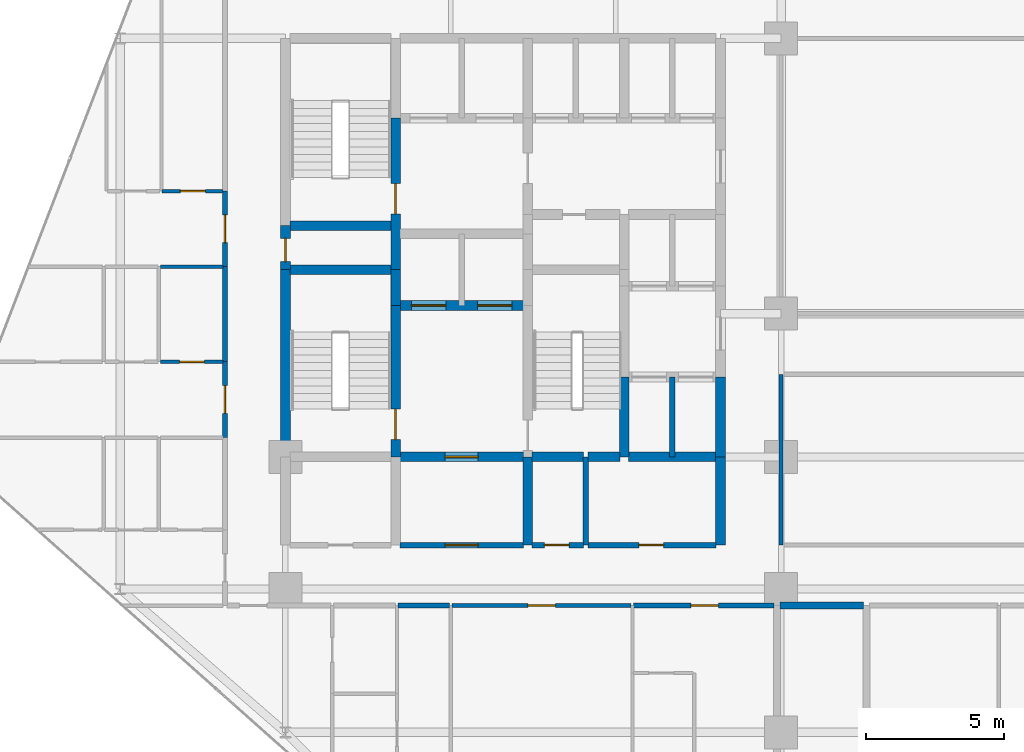
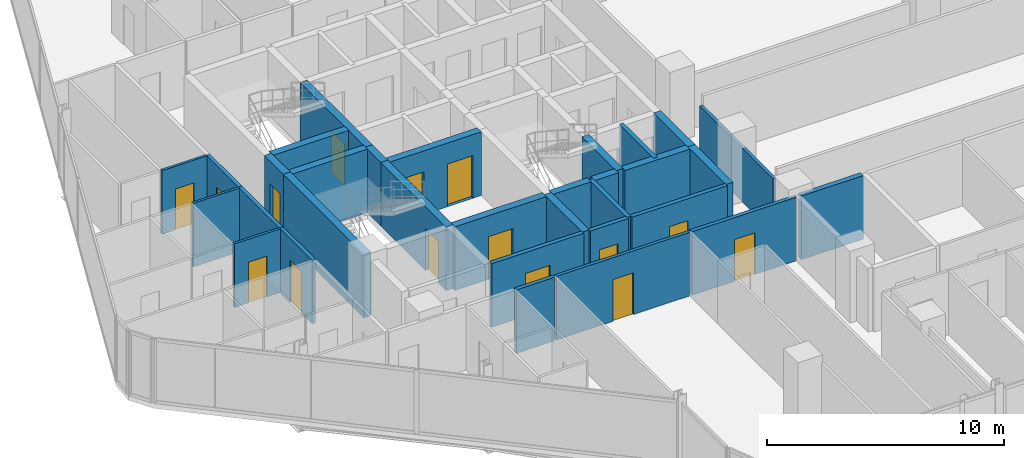
# One storey, part 27 of 33: 32 walls, 15 doors, 15 openings.
"""IFC4 building model written with IfcOpenShell, lengths in metres."""

from ifc_helpers import new_model, si_unit, direction, frame, frame_2d, origin, place, context, subcontext, project, spatial, rectangle, extrude, material, layer, layer_set, type_object, element, fill, save


model = new_model("IFC4")

# Units and contexts
model_context = context("Model", 3, precision=1e-05, world=origin(), true_north=direction((0.0, 1.0)))
body_context = subcontext(model_context, "Body", "Model", "MODEL_VIEW")
ifc_project = project(units=[si_unit("LENGTHUNIT", "METRE"), si_unit("AREAUNIT", "SQUARE_METRE"), si_unit("VOLUMEUNIT", "CUBIC_METRE"), si_unit("PLANEANGLEUNIT", "RADIAN"), si_unit("MASSUNIT", "GRAM", prefix="KILO")], contexts=[model_context])

# Site, building, storey
site_placement = place(None, origin())
site = spatial("IfcSite", under=ifc_project, at=site_placement, CompositionType="ELEMENT")
building_placement = place(site_placement, origin())
building = spatial("IfcBuilding", under=site, at=building_placement, Name="Keshet Zoharim Tower", CompositionType="ELEMENT")
storey_placement = place(building_placement, frame((0.0, 0.0, 57.300048828125)))
storey = spatial("IfcBuildingStorey", under=building, at=storey_placement, Name="L13", CompositionType="ELEMENT", Elevation=57.300048828125)

# Wall
ifc_material_1 = material(Name="Gypsum Plasterboard", Category="gypsum")
ifc_layer_1 = layer(ifc_material_1, 0.14990234375)
ifc_layer_set_1 = layer_set([ifc_layer_1], Name="Gypsum Plasterboard")
wall_type_1 = type_object("IfcWallType", Name="WL-CLIN-150", PredefinedType="STANDARD", material=ifc_layer_set_1)
wall_1_placement = place(storey_placement, frame((33.0, 19.510009765625, 0.0), z_axis=(0.0, 0.0, 1.0), x_axis=(0.0, 1.0, 0.0)))
element("IfcWall", 1, at=wall_1_placement, inside=storey, type_object=wall_type_1, Name="L13 Interior Wall 073", PredefinedType="STANDARD", context=body_context, shape_type="SweptSolid", body=[
    extrude(rectangle(XDim=6.179931640625, YDim=0.14990234375, at=frame_2d((3.08984375, 0.0))), origin(), (0.0, 0.0, 1.0), 2.780029296875),
])

# Wall, opening, door
wall_2_placement = place(storey_placement, frame((21.044921875, 17.300048828125, 0.0), z_axis=(0.0, 0.0, 1.0), x_axis=(1.0, 0.0, 0.0)))
wall_2 = element("IfcWall", 2, at=wall_2_placement, inside=storey, type_object=wall_type_1, Name="L13 Interior Wall 149", PredefinedType="STANDARD", context=body_context, shape_type="SweptSolid", body=[
    extrude(rectangle(XDim=6.510009765625, YDim=0.14990234375, at=frame_2d((3.2548828125, 0.0))), origin(), (0.0, 0.0, 1.0), 3.280029296875),
])
opening_1_placement = place(wall_2_placement, frame((2.7548828125, 0.0, 0.0)))
opening_1 = element("IfcOpeningElement", 3, at=opening_1_placement, cuts=wall_2, Name="Opening D-F310", PredefinedType="OPENING", context=body_context, shape_type="SweptSolid", body=[
    extrude(rectangle(XDim=1.0, YDim=2.14990234375, at=frame_2d((0.5, 1.074951171875))), frame((0.0, 0.0849609375, 0.0), z_axis=(0.0, -1.0, 0.0), x_axis=(1.0, 0.0, 0.0)), (0.0, 0.0, 1.0), 0.169921875),
])
ifc_material_2 = material(Name="Hardwood Timber", Category="wood")
door_type_1 = type_object("IfcDoorType", Name="DR-FD30-100", OperationType="NOTDEFINED", PredefinedType="DOOR", material=ifc_material_2)
door_1_placement = place(opening_1_placement, origin())
door_1 = element("IfcDoor", 4, at=door_1_placement, inside=storey, type_object=door_type_1, Name="L13 Floor Children Playroom Door", OperationType="SINGLE_SWING_LEFT", OverallHeight=2.14990234375, OverallWidth=1.0, PredefinedType="DOOR", context=body_context, shape_type="SweptSolid", body=[
    extrude(rectangle(XDim=1.0, YDim=2.14990234375, at=frame_2d((0.5, 1.074951171875))), frame((0.0, 0.02490234375, 0.0), z_axis=(0.0, -1.0, 0.0), x_axis=(1.0, 0.0, 0.0)), (0.0, 0.0, 1.0), 0.050048828125),
])
fill(opening_1, door_1)

# Wall
ifc_material_3 = material(Name="Concrete C60/75", Category="concrete")
ifc_layer_2 = layer(ifc_material_3, 0.35009765625)
ifc_layer_set_2 = layer_set([ifc_layer_2], Name="Concrete C60/75")
wall_type_2 = type_object("IfcWallType", Name="WL-CORE-350", PredefinedType="SHEAR", material=ifc_layer_set_2)
wall_3_placement = place(storey_placement, frame((15.0, 22.699951171875, 0.0), z_axis=(0.0, 0.0, 1.0), x_axis=(0.0, 1.0, 0.0)))
element("IfcWall", 5, at=wall_3_placement, inside=storey, type_object=wall_type_2, Name="L13 Core Shear Wall 014", PredefinedType="SHEAR", context=body_context, shape_type="SweptSolid", body=[
    extrude(rectangle(XDim=6.800048828125, YDim=0.35009765625, at=frame_2d((3.39990234375, 0.0))), origin(), (0.0, 0.0, 1.0), 3.280029296875),
])

# Wall, opening, door
wall_4_placement = place(storey_placement, frame((15.0, 29.5, 0.0), z_axis=(0.0, 0.0, 1.0), x_axis=(0.0, 1.0, 0.0)))
wall_4 = element("IfcWall", 6, at=wall_4_placement, inside=storey, type_object=wall_type_2, Name="L13 Core Shear Wall 015", PredefinedType="SHEAR", context=body_context, shape_type="SweptSolid", body=[
    extrude(rectangle(XDim=1.60009765625, YDim=0.35009765625, at=frame_2d((0.800048828125, 0.0))), origin(), (0.0, 0.0, 1.0), 3.280029296875),
])
opening_2_placement = place(wall_4_placement, frame((0.287109375, 0.0, 0.0)))
opening_2 = element("IfcOpeningElement", 7, at=opening_2_placement, cuts=wall_4, Name="Opening D-RS85", PredefinedType="OPENING", context=body_context, shape_type="SweptSolid", body=[
    extrude(rectangle(XDim=0.85009765625, YDim=2.10009765625, at=frame_2d((0.425048828125, 1.050048828125))), frame((0.0, 0.18505859375, 0.0), z_axis=(0.0, -1.0, 0.0), x_axis=(1.0, 0.0, 0.0)), (0.0, 0.0, 1.0), 0.3701171875),
])
door_type_2 = type_object("IfcDoorType", Name="DR-RIS-085", OperationType="NOTDEFINED", PredefinedType="DOOR", material=ifc_material_2)
door_2_placement = place(opening_2_placement, origin())
door_2 = element("IfcDoor", 8, at=door_2_placement, inside=storey, type_object=door_type_2, Name="L13 Electrical Riser Access Cupboard Door", OperationType="SINGLE_SWING_RIGHT", OverallHeight=2.10009765625, OverallWidth=0.85009765625, PredefinedType="DOOR", context=body_context, shape_type="SweptSolid", body=[
    extrude(rectangle(XDim=0.85009765625, YDim=2.10009765625, at=frame_2d((0.425048828125, 1.050048828125))), frame((0.0, 0.02490234375, 0.0), z_axis=(0.0, -1.0, 0.0), x_axis=(1.0, 0.0, 0.0)), (0.0, 0.0, 1.0), 0.050048828125),
])
fill(opening_2, door_2)

wall_5_placement = place(storey_placement, frame((19.0, 22.699951171875, 0.0), z_axis=(0.0, 0.0, 1.0), x_axis=(0.0, 1.0, 0.0)))
wall_5 = element("IfcWall", 9, at=wall_5_placement, inside=storey, type_object=wall_type_2, Name="L13 Core Shear Wall 024", PredefinedType="SHEAR", context=body_context, shape_type="SweptSolid", body=[
    extrude(rectangle(XDim=5.5, YDim=0.35009765625, at=frame_2d((2.75, 0.0))), origin(), (0.0, 0.0, 1.0), 3.280029296875),
])
opening_3_placement = place(wall_5_placement, frame((0.631103515625, 0.0, 0.0)))
opening_3 = element("IfcOpeningElement", 10, at=opening_3_placement, cuts=wall_5, Name="Opening D-F611", PredefinedType="OPENING", context=body_context, shape_type="SweptSolid", body=[
    extrude(rectangle(XDim=1.10009765625, YDim=2.14990234375, at=frame_2d((0.550048828125, 1.074951171875))), frame((0.0, 0.18505859375, 0.0), z_axis=(0.0, -1.0, 0.0), x_axis=(1.0, 0.0, 0.0)), (0.0, 0.0, 1.0), 0.3701171875),
])
door_type_3 = type_object("IfcDoorType", Name="DR-FD60-110", OperationType="NOTDEFINED", PredefinedType="DOOR", material=ifc_material_2)
door_3_placement = place(opening_3_placement, origin())
door_3 = element("IfcDoor", 11, at=door_3_placement, inside=storey, type_object=door_type_3, Name="L13 Exit Stair ST-01 Fire Door", OperationType="SINGLE_SWING_RIGHT", OverallHeight=2.14990234375, OverallWidth=1.10009765625, PredefinedType="DOOR", context=body_context, shape_type="SweptSolid", body=[
    extrude(rectangle(XDim=1.10009765625, YDim=2.14990234375, at=frame_2d((0.550048828125, 1.074951171875))), frame((0.0, 0.02490234375, 0.0), z_axis=(0.0, -1.0, 0.0), x_axis=(1.0, 0.0, 0.0)), (0.0, 0.0, 1.0), 0.050048828125),
])
fill(opening_3, door_3)

# Wall
wall_6_placement = place(storey_placement, frame((19.0, 28.199951171875, 0.0), z_axis=(0.0, 0.0, 1.0), x_axis=(0.0, 1.0, 0.0)))
element("IfcWall", 12, at=wall_6_placement, inside=storey, type_object=wall_type_2, Name="L13 Core Shear Wall 025", PredefinedType="SHEAR", context=body_context, shape_type="SweptSolid", body=[
    extrude(rectangle(XDim=1.300048828125, YDim=0.35009765625, at=frame_2d((0.64990234375, 0.0))), origin(), (0.0, 0.0, 1.0), 3.280029296875),
])

# Wall, opening, door
wall_7_placement = place(storey_placement, frame((19.0, 29.5, 0.0), z_axis=(0.0, 0.0, 1.0), x_axis=(0.0, 1.0, 0.0)))
wall_7 = element("IfcWall", 13, at=wall_7_placement, inside=storey, type_object=wall_type_2, Name="L13 Core Shear Wall 026", PredefinedType="SHEAR", context=body_context, shape_type="SweptSolid", body=[
    extrude(rectangle(XDim=5.5, YDim=0.35009765625, at=frame_2d((2.75, 0.0))), origin(), (0.0, 0.0, 1.0), 3.280029296875),
])
opening_4_placement = place(wall_7_placement, frame((2.02490234375, 0.0, 0.0)))
opening_4 = element("IfcOpeningElement", 14, at=opening_4_placement, cuts=wall_7, Name="Opening D-F611", PredefinedType="OPENING", context=body_context, shape_type="SweptSolid", body=[
    extrude(rectangle(XDim=1.10009765625, YDim=2.14990234375, at=frame_2d((0.550048828125, 1.074951171875))), frame((0.0, 0.18505859375, 0.0), z_axis=(0.0, -1.0, 0.0), x_axis=(1.0, 0.0, 0.0)), (0.0, 0.0, 1.0), 0.3701171875),
])
door_4_placement = place(opening_4_placement, origin())
door_4 = element("IfcDoor", 15, at=door_4_placement, inside=storey, type_object=door_type_3, Name="L13 Exit Stair ST-02 Fire Door", OperationType="SINGLE_SWING_LEFT", OverallHeight=2.14990234375, OverallWidth=1.10009765625, PredefinedType="DOOR", context=body_context, shape_type="SweptSolid", body=[
    extrude(rectangle(XDim=1.10009765625, YDim=2.14990234375, at=frame_2d((0.550048828125, 1.074951171875))), frame((0.0, 0.02490234375, 0.0), z_axis=(0.0, -1.0, 0.0), x_axis=(1.0, 0.0, 0.0)), (0.0, 0.0, 1.0), 0.050048828125),
])
fill(opening_4, door_4)

# Walls
wall_8_placement = place(storey_placement, frame((23.800048828125, 19.5, 0.0), z_axis=(0.0, 0.0, 1.0), x_axis=(0.0, 1.0, 0.0)))
element("IfcWall", 16, at=wall_8_placement, inside=storey, type_object=wall_type_2, Name="L13 Core Shear Wall 034", PredefinedType="SHEAR", context=body_context, shape_type="SweptSolid", body=[
    extrude(rectangle(XDim=3.199951171875, YDim=0.35009765625, at=frame_2d((1.60009765625, 0.0))), origin(), (0.0, 0.0, 1.0), 3.280029296875),
])
wall_9_placement = place(storey_placement, frame((27.300048828125, 22.699951171875, 0.0), z_axis=(0.0, 0.0, 1.0), x_axis=(0.0, 1.0, 0.0)))
element("IfcWall", 17, at=wall_9_placement, inside=storey, type_object=wall_type_2, Name="L13 Core Shear Wall 046", PredefinedType="SHEAR", context=body_context, shape_type="SweptSolid", body=[
    extrude(rectangle(XDim=2.900146484375, YDim=0.35009765625, at=frame_2d((1.4501953125, 0.0))), origin(), (0.0, 0.0, 1.0), 3.280029296875),
])
wall_10_placement = place(storey_placement, frame((30.800048828125, 19.5, 0.0), z_axis=(0.0, 0.0, 1.0), x_axis=(0.0, 1.0, 0.0)))
element("IfcWall", 18, at=wall_10_placement, inside=storey, type_object=wall_type_2, Name="L13 Core Shear Wall 059", PredefinedType="SHEAR", context=body_context, shape_type="SweptSolid", body=[
    extrude(rectangle(XDim=3.199951171875, YDim=0.35009765625, at=frame_2d((1.60009765625, 0.0))), origin(), (0.0, 0.0, 1.0), 3.280029296875),
])
wall_11_placement = place(storey_placement, frame((30.800048828125, 22.699951171875, 0.0), z_axis=(0.0, 0.0, 1.0), x_axis=(0.0, 1.0, 0.0)))
element("IfcWall", 19, at=wall_11_placement, inside=storey, type_object=wall_type_2, Name="L13 Core Shear Wall 060", PredefinedType="SHEAR", context=body_context, shape_type="SweptSolid", body=[
    extrude(rectangle(XDim=2.900146484375, YDim=0.35009765625, at=frame_2d((1.4501953125, 0.0))), origin(), (0.0, 0.0, 1.0), 3.280029296875),
])

# Wall, opening, door
wall_12_placement = place(storey_placement, frame((19.159912109375, 22.699951171875, 0.0), z_axis=(0.0, 0.0, 1.0), x_axis=(1.0, 0.0, 0.0)))
wall_12 = element("IfcWall", 20, at=wall_12_placement, inside=storey, type_object=wall_type_2, Name="L13 Core Shear Wall 172", PredefinedType="SHEAR", context=body_context, shape_type="SweptSolid", body=[
    extrude(rectangle(XDim=4.47998046875, YDim=0.35009765625, at=frame_2d((2.239990234375, 0.0))), origin(), (0.0, 0.0, 1.0), 3.280029296875),
])
opening_5_placement = place(wall_12_placement, frame((1.639892578125, 0.0, 0.0)))
opening_5 = element("IfcOpeningElement", 21, at=opening_5_placement, cuts=wall_12, Name="Opening D-F612", PredefinedType="OPENING", context=body_context, shape_type="SweptSolid", body=[
    extrude(rectangle(XDim=1.199951171875, YDim=2.199951171875, at=frame_2d((0.60009765625, 1.10009765625))), frame((0.0, 0.18505859375, 0.0), z_axis=(0.0, -1.0, 0.0), x_axis=(1.0, 0.0, 0.0)), (0.0, 0.0, 1.0), 0.3701171875),
])
door_type_4 = type_object("IfcDoorType", Name="DR-FD60-120", OperationType="NOTDEFINED", PredefinedType="DOOR", material=ifc_material_2)
door_5_placement = place(opening_5_placement, origin())
door_5 = element("IfcDoor", 22, at=door_5_placement, inside=storey, type_object=door_type_4, Name="L13 South Core Lobby Fire Door", OperationType="SINGLE_SWING_LEFT", OverallHeight=2.199951171875, OverallWidth=1.199951171875, PredefinedType="DOOR", context=body_context, shape_type="SweptSolid", body=[
    extrude(rectangle(XDim=1.199951171875, YDim=2.199951171875, at=frame_2d((0.60009765625, 1.10009765625))), frame((0.0, 0.02490234375, 0.0), z_axis=(0.0, -1.0, 0.0), x_axis=(1.0, 0.0, 0.0)), (0.0, 0.0, 1.0), 0.050048828125),
])
fill(opening_5, door_5)

# Walls
wall_13_placement = place(storey_placement, frame((23.9599609375, 22.699951171875, 0.0), z_axis=(0.0, 0.0, 1.0), x_axis=(1.0, 0.0, 0.0)))
element("IfcWall", 23, at=wall_13_placement, inside=storey, type_object=wall_type_2, Name="L13 Core Shear Wall 173", PredefinedType="SHEAR", context=body_context, shape_type="SweptSolid", body=[
    extrude(rectangle(XDim=1.85498046875, YDim=0.35009765625, at=frame_2d((0.927490234375, 0.0))), origin(), (0.0, 0.0, 1.0), 3.280029296875),
])
wall_14_placement = place(storey_placement, frame((25.985107421875, 22.699951171875, 0.0), z_axis=(0.0, 0.0, 1.0), x_axis=(1.0, 0.0, 0.0)))
element("IfcWall", 24, at=wall_14_placement, inside=storey, type_object=wall_type_2, Name="L13 Core Shear Wall 174", PredefinedType="SHEAR", context=body_context, shape_type="SweptSolid", body=[
    extrude(rectangle(XDim=1.15478515625, YDim=0.35009765625, at=frame_2d((0.577392578125, 0.0))), origin(), (0.0, 0.0, 1.0), 3.280029296875),
])
wall_15_placement = place(storey_placement, frame((27.4599609375, 22.699951171875, 0.0), z_axis=(0.0, 0.0, 1.0), x_axis=(1.0, 0.0, 0.0)))
element("IfcWall", 25, at=wall_15_placement, inside=storey, type_object=wall_type_2, Name="L13 Core Shear Wall 175", PredefinedType="SHEAR", context=body_context, shape_type="SweptSolid", body=[
    extrude(rectangle(XDim=3.179931640625, YDim=0.35009765625, at=frame_2d((1.58984375, 0.0))), origin(), (0.0, 0.0, 1.0), 3.280029296875),
])

# Wall, openings, doors
wall_16_placement = place(storey_placement, frame((19.159912109375, 28.199951171875, 0.0), z_axis=(0.0, 0.0, 1.0), x_axis=(1.0, 0.0, 0.0)))
wall_16 = element("IfcWall", 26, at=wall_16_placement, inside=storey, type_object=wall_type_2, Name="L13 Core Shear Wall 185", PredefinedType="SHEAR", context=body_context, shape_type="SweptSolid", body=[
    extrude(rectangle(XDim=4.47998046875, YDim=0.35009765625, at=frame_2d((2.239990234375, 0.0))), origin(), (0.0, 0.0, 1.0), 3.280029296875),
])
opening_6_placement = place(wall_16_placement, frame((0.4150390625, 0.0, 0.0)))
opening_6 = element("IfcOpeningElement", 27, at=opening_6_placement, cuts=wall_16, Name="Opening LD-01", PredefinedType="OPENING", context=body_context, shape_type="SweptSolid", body=[
    extrude(rectangle(XDim=1.25, YDim=2.199951171875, at=frame_2d((0.625, 1.10009765625))), frame((0.0, 0.18505859375, 0.0), z_axis=(0.0, -1.0, 0.0), x_axis=(1.0, 0.0, 0.0)), (0.0, 0.0, 1.0), 0.3701171875),
])
opening_7_placement = place(wall_16_placement, frame((2.81494140625, 0.0, 0.0)))
opening_7 = element("IfcOpeningElement", 28, at=opening_7_placement, cuts=wall_16, Name="Opening LD-01", PredefinedType="OPENING", context=body_context, shape_type="SweptSolid", body=[
    extrude(rectangle(XDim=1.25, YDim=2.199951171875, at=frame_2d((0.625, 1.10009765625))), frame((0.0, 0.18505859375, 0.0), z_axis=(0.0, -1.0, 0.0), x_axis=(1.0, 0.0, 0.0)), (0.0, 0.0, 1.0), 0.3701171875),
])
ifc_material_4 = material(Name="Steel S355", Category="steel")
door_type_5 = type_object("IfcDoorType", Name="DR-LD01-125", OperationType="DOUBLE_DOOR_SLIDING", PredefinedType="DOOR", material=ifc_material_4)
door_6_placement = place(opening_6_placement, origin())
door_6 = element("IfcDoor", 29, at=door_6_placement, inside=storey, type_object=door_type_5, Name="L13 Passenger Lift Landing Door LF-09", OperationType="DOUBLE_DOOR_SLIDING", OverallHeight=2.199951171875, OverallWidth=1.25, PredefinedType="DOOR", context=body_context, shape_type="SweptSolid", body=[
    extrude(rectangle(XDim=1.25, YDim=2.199951171875, at=frame_2d((0.625, 1.10009765625))), frame((0.0, 0.02490234375, 0.0), z_axis=(0.0, -1.0, 0.0), x_axis=(1.0, 0.0, 0.0)), (0.0, 0.0, 1.0), 0.050048828125),
])
fill(opening_6, door_6)
door_7_placement = place(opening_7_placement, origin())
door_7 = element("IfcDoor", 30, at=door_7_placement, inside=storey, type_object=door_type_5, Name="L13 Passenger Lift Landing Door LF-10", OperationType="DOUBLE_DOOR_SLIDING", OverallHeight=2.199951171875, OverallWidth=1.25, PredefinedType="DOOR", context=body_context, shape_type="SweptSolid", body=[
    extrude(rectangle(XDim=1.25, YDim=2.199951171875, at=frame_2d((0.625, 1.10009765625))), frame((0.0, 0.02490234375, 0.0), z_axis=(0.0, -1.0, 0.0), x_axis=(1.0, 0.0, 0.0)), (0.0, 0.0, 1.0), 0.050048828125),
])
fill(opening_7, door_7)

# Walls
for number, where, z_axis, x_axis, name in (
    (31, (15.159912109375, 29.5, 0.0), (0.0, 0.0, 1.0), (1.0, 0.0, 0.0), "L13 Core Shear Wall 187"),
    (32, (15.159912109375, 31.10009765625, 0.0), (0.0, 0.0, 1.0), (1.0, 0.0, 0.0), "L13 Core Shear Wall 193"),
):
    element("IfcWall", number, at=place(storey_placement, frame(where, z_axis=z_axis, x_axis=x_axis)), inside=storey, type_object=wall_type_2, Name=name, PredefinedType="SHEAR", context=body_context, shape_type="SweptSolid", body=[
        extrude(rectangle(XDim=3.68017578125, YDim=0.35009765625, at=frame_2d((1.840087890625, 0.0))), origin(), (0.0, 0.0, 1.0), 3.280029296875),
    ])

# Wall, opening, door
ifc_layer_3 = layer(ifc_material_1, 0.179931640625)
ifc_layer_set_3 = layer_set([ifc_layer_3], Name="Gypsum Plasterboard")
wall_type_3 = type_object("IfcWallType", Name="WL-CORR-180", PredefinedType="STANDARD", material=ifc_layer_set_3)
wall_17_placement = place(storey_placement, frame((12.800048828125, 23.409912109375, 0.0), z_axis=(0.0, 0.0, 1.0), x_axis=(0.0, 1.0, 0.0)))
wall_17 = element("IfcWall", 33, at=wall_17_placement, inside=storey, type_object=wall_type_3, Name="L13 Interior Wall 009", PredefinedType="STANDARD", context=body_context, shape_type="SweptSolid", body=[
    extrude(rectangle(XDim=2.75, YDim=0.179931640625, at=frame_2d((1.375, 0.0))), origin(), (0.0, 0.0, 1.0), 3.280029296875),
])
opening_8_placement = place(wall_17_placement, frame((0.875, 0.0, 0.0)))
opening_8 = element("IfcOpeningElement", 34, at=opening_8_placement, cuts=wall_17, Name="Opening D-F310", PredefinedType="OPENING", context=body_context, shape_type="SweptSolid", body=[
    extrude(rectangle(XDim=1.0, YDim=2.14990234375, at=frame_2d((0.5, 1.074951171875))), frame((0.0, 0.10009765625, 0.0), z_axis=(0.0, -1.0, 0.0), x_axis=(1.0, 0.0, 0.0)), (0.0, 0.0, 1.0), 0.199951171875),
])
door_8_placement = place(opening_8_placement, origin())
door_8 = element("IfcDoor", 35, at=door_8_placement, inside=storey, type_object=door_type_1, Name="Apartment 1310 Entrance Door", OperationType="SINGLE_SWING_RIGHT", OverallHeight=2.14990234375, OverallWidth=1.0, PredefinedType="DOOR", context=body_context, shape_type="SweptSolid", body=[
    extrude(rectangle(XDim=1.0, YDim=2.14990234375, at=frame_2d((0.5, 1.074951171875))), frame((0.0, 0.02490234375, 0.0), z_axis=(0.0, -1.0, 0.0), x_axis=(1.0, 0.0, 0.0)), (0.0, 0.0, 1.0), 0.050048828125),
])
fill(opening_8, door_8)

# Wall
wall_18_placement = place(storey_placement, frame((12.800048828125, 26.159912109375, 0.0), z_axis=(0.0, 0.0, 1.0), x_axis=(0.0, 1.0, 0.0)))
element("IfcWall", 36, at=wall_18_placement, inside=storey, type_object=wall_type_3, Name="L13 Interior Wall 010", PredefinedType="STANDARD", context=body_context, shape_type="SweptSolid", body=[
    extrude(rectangle(XDim=3.4501953125, YDim=0.179931640625, at=frame_2d((1.72509765625, 0.0))), origin(), (0.0, 0.0, 1.0), 3.280029296875),
])

# Wall, opening, door
wall_19_placement = place(storey_placement, frame((12.800048828125, 29.610107421875, 0.0), z_axis=(0.0, 0.0, 1.0), x_axis=(0.0, 1.0, 0.0)))
wall_19 = element("IfcWall", 37, at=wall_19_placement, inside=storey, type_object=wall_type_3, Name="L13 Interior Wall 011", PredefinedType="STANDARD", context=body_context, shape_type="SweptSolid", body=[
    extrude(rectangle(XDim=2.75, YDim=0.179931640625, at=frame_2d((1.375, 0.0))), origin(), (0.0, 0.0, 1.0), 3.280029296875),
])
opening_9_placement = place(wall_19_placement, frame((0.875, 0.0, 0.0)))
opening_9 = element("IfcOpeningElement", 38, at=opening_9_placement, cuts=wall_19, Name="Opening D-F310", PredefinedType="OPENING", context=body_context, shape_type="SweptSolid", body=[
    extrude(rectangle(XDim=1.0, YDim=2.14990234375, at=frame_2d((0.5, 1.074951171875))), frame((0.0, 0.10009765625, 0.0), z_axis=(0.0, -1.0, 0.0), x_axis=(1.0, 0.0, 0.0)), (0.0, 0.0, 1.0), 0.199951171875),
])
door_9_placement = place(opening_9_placement, origin())
door_9 = element("IfcDoor", 39, at=door_9_placement, inside=storey, type_object=door_type_1, Name="Apartment 1311 Entrance Door", OperationType="SINGLE_SWING_LEFT", OverallHeight=2.14990234375, OverallWidth=1.0, PredefinedType="DOOR", context=body_context, shape_type="SweptSolid", body=[
    extrude(rectangle(XDim=1.0, YDim=2.14990234375, at=frame_2d((0.5, 1.074951171875))), frame((0.0, 0.02490234375, 0.0), z_axis=(0.0, -1.0, 0.0), x_axis=(1.0, 0.0, 0.0)), (0.0, 0.0, 1.0), 0.050048828125),
])
fill(opening_9, door_9)

# Wall
wall_20_placement = place(storey_placement, frame((19.094970703125, 17.300048828125, 0.0), z_axis=(0.0, 0.0, 1.0), x_axis=(1.0, 0.0, 0.0)))
element("IfcWall", 40, at=wall_20_placement, inside=storey, type_object=wall_type_3, Name="L13 Interior Wall 148", PredefinedType="STANDARD", context=body_context, shape_type="SweptSolid", body=[
    extrude(rectangle(XDim=1.860107421875, YDim=0.179931640625, at=frame_2d((0.93017578125, 0.0))), origin(), (0.0, 0.0, 1.0), 3.280029296875),
])

# Wall, opening, door
wall_21_placement = place(storey_placement, frame((27.64501953125, 17.300048828125, 0.0), z_axis=(0.0, 0.0, 1.0), x_axis=(1.0, 0.0, 0.0)))
wall_21 = element("IfcWall", 41, at=wall_21_placement, inside=storey, type_object=wall_type_3, Name="L13 Interior Wall 150", PredefinedType="STANDARD", context=body_context, shape_type="SweptSolid", body=[
    extrude(rectangle(XDim=5.094970703125, YDim=0.179931640625, at=frame_2d((2.54736328125, 0.0))), origin(), (0.0, 0.0, 1.0), 3.280029296875),
])
opening_10_placement = place(wall_21_placement, frame((2.080078125, 0.0, 0.0)))
opening_10 = element("IfcOpeningElement", 42, at=opening_10_placement, cuts=wall_21, Name="Opening D-F310", PredefinedType="OPENING", context=body_context, shape_type="SweptSolid", body=[
    extrude(rectangle(XDim=1.0, YDim=2.14990234375, at=frame_2d((0.5, 1.074951171875))), frame((0.0, 0.10009765625, 0.0), z_axis=(0.0, -1.0, 0.0), x_axis=(1.0, 0.0, 0.0)), (0.0, 0.0, 1.0), 0.199951171875),
])
door_10_placement = place(opening_10_placement, origin())
door_10 = element("IfcDoor", 43, at=door_10_placement, inside=storey, type_object=door_type_1, Name="Apartment 1302 Entrance Door", OperationType="SINGLE_SWING_RIGHT", OverallHeight=2.14990234375, OverallWidth=1.0, PredefinedType="DOOR", context=body_context, shape_type="SweptSolid", body=[
    extrude(rectangle(XDim=1.0, YDim=2.14990234375, at=frame_2d((0.5, 1.074951171875))), frame((0.0, 0.02490234375, 0.0), z_axis=(0.0, -1.0, 0.0), x_axis=(1.0, 0.0, 0.0)), (0.0, 0.0, 1.0), 0.050048828125),
])
fill(opening_10, door_10)

# Walls
ifc_material_5 = material(Name="Concrete C50/60", Category="concrete")
ifc_layer_4 = layer(ifc_material_5, 0.199951171875)
ifc_layer_set_4 = layer_set([ifc_layer_4], Name="Concrete C50/60")
wall_type_4 = type_object("IfcWallType", Name="WL-FIRE-200", PredefinedType="STANDARD", material=ifc_layer_set_4)
wall_22_placement = place(storey_placement, frame((25.89990234375, 19.5, 0.0), z_axis=(0.0, 0.0, 1.0), x_axis=(0.0, 1.0, 0.0)))
element("IfcWall", 44, at=wall_22_placement, inside=storey, type_object=wall_type_4, Name="L13 Interior Wall 045", PredefinedType="STANDARD", context=body_context, shape_type="SweptSolid", body=[
    extrude(rectangle(XDim=3.199951171875, YDim=0.199951171875, at=frame_2d((1.60009765625, 0.0))), origin(), (0.0, 0.0, 1.0), 3.280029296875),
])
wall_23_placement = place(storey_placement, frame((29.050048828125, 22.699951171875, 0.0), z_axis=(0.0, 0.0, 1.0), x_axis=(0.0, 1.0, 0.0)))
element("IfcWall", 45, at=wall_23_placement, inside=storey, type_object=wall_type_4, Name="L13 Interior Wall 054", PredefinedType="STANDARD", context=body_context, shape_type="SweptSolid", body=[
    extrude(rectangle(XDim=2.900146484375, YDim=0.199951171875, at=frame_2d((1.4501953125, 0.0))), origin(), (0.0, 0.0, 1.0), 3.280029296875),
])

# Wall, opening, door
wall_24_placement = place(storey_placement, frame((19.159912109375, 19.5, 0.0), z_axis=(0.0, 0.0, 1.0), x_axis=(1.0, 0.0, 0.0)))
wall_24 = element("IfcWall", 46, at=wall_24_placement, inside=storey, type_object=wall_type_4, Name="L13 Interior Wall 164", PredefinedType="STANDARD", context=body_context, shape_type="SweptSolid", body=[
    extrude(rectangle(XDim=4.47998046875, YDim=0.199951171875, at=frame_2d((2.239990234375, 0.0))), origin(), (0.0, 0.0, 1.0), 3.280029296875),
])
opening_11_placement = place(wall_24_placement, frame((1.639892578125, 0.0, 0.0)))
opening_11 = element("IfcOpeningElement", 47, at=opening_11_placement, cuts=wall_24, Name="Opening D-F612", PredefinedType="OPENING", context=body_context, shape_type="SweptSolid", body=[
    extrude(rectangle(XDim=1.199951171875, YDim=2.199951171875, at=frame_2d((0.60009765625, 1.10009765625))), frame((0.0, 0.10986328125, 0.0), z_axis=(0.0, -1.0, 0.0), x_axis=(1.0, 0.0, 0.0)), (0.0, 0.0, 1.0), 0.219970703125),
])
door_11_placement = place(opening_11_placement, origin())
door_11 = element("IfcDoor", 48, at=door_11_placement, inside=storey, type_object=door_type_4, Name="L13 South Vestibule Corridor Door", OperationType="SINGLE_SWING_RIGHT", OverallHeight=2.199951171875, OverallWidth=1.199951171875, PredefinedType="DOOR", context=body_context, shape_type="SweptSolid", body=[
    extrude(rectangle(XDim=1.199951171875, YDim=2.199951171875, at=frame_2d((0.60009765625, 1.10009765625))), frame((0.0, 0.02490234375, 0.0), z_axis=(0.0, -1.0, 0.0), x_axis=(1.0, 0.0, 0.0)), (0.0, 0.0, 1.0), 0.050048828125),
])
fill(opening_11, door_11)

wall_25_placement = place(storey_placement, frame((23.9599609375, 19.5, 0.0), z_axis=(0.0, 0.0, 1.0), x_axis=(1.0, 0.0, 0.0)))
wall_25 = element("IfcWall", 49, at=wall_25_placement, inside=storey, type_object=wall_type_4, Name="L13 Interior Wall 165", PredefinedType="STANDARD", context=body_context, shape_type="SweptSolid", body=[
    extrude(rectangle(XDim=1.85498046875, YDim=0.199951171875, at=frame_2d((0.927490234375, 0.0))), origin(), (0.0, 0.0, 1.0), 3.280029296875),
])
opening_12_placement = place(wall_25_placement, frame((0.43994140625, 0.0, 0.0)))
opening_12 = element("IfcOpeningElement", 50, at=opening_12_placement, cuts=wall_25, Name="Opening D-F690", PredefinedType="OPENING", context=body_context, shape_type="SweptSolid", body=[
    extrude(rectangle(XDim=0.89990234375, YDim=2.14990234375, at=frame_2d((0.449951171875, 1.074951171875))), frame((0.0, 0.10986328125, 0.0), z_axis=(0.0, -1.0, 0.0), x_axis=(1.0, 0.0, 0.0)), (0.0, 0.0, 1.0), 0.219970703125),
])
door_type_6 = type_object("IfcDoorType", Name="DR-FD60-090", OperationType="NOTDEFINED", PredefinedType="DOOR", material=ifc_material_2)
door_12_placement = place(opening_12_placement, origin())
door_12 = element("IfcDoor", 51, at=door_12_placement, inside=storey, type_object=door_type_6, Name="L13 Cleaners Store Door", OperationType="SINGLE_SWING_LEFT", OverallHeight=2.14990234375, OverallWidth=0.89990234375, PredefinedType="DOOR", context=body_context, shape_type="SweptSolid", body=[
    extrude(rectangle(XDim=0.89990234375, YDim=2.14990234375, at=frame_2d((0.449951171875, 1.074951171875))), frame((0.0, 0.02490234375, 0.0), z_axis=(0.0, -1.0, 0.0), x_axis=(1.0, 0.0, 0.0)), (0.0, 0.0, 1.0), 0.050048828125),
])
fill(opening_12, door_12)

wall_26_placement = place(storey_placement, frame((25.985107421875, 19.5, 0.0), z_axis=(0.0, 0.0, 1.0), x_axis=(1.0, 0.0, 0.0)))
wall_26 = element("IfcWall", 52, at=wall_26_placement, inside=storey, type_object=wall_type_4, Name="L13 Interior Wall 166", PredefinedType="STANDARD", context=body_context, shape_type="SweptSolid", body=[
    extrude(rectangle(XDim=4.65478515625, YDim=0.199951171875, at=frame_2d((2.327392578125, 0.0))), origin(), (0.0, 0.0, 1.0), 3.280029296875),
])
opening_13_placement = place(wall_26_placement, frame((1.844970703125, 0.0, 0.0)))
opening_13 = element("IfcOpeningElement", 53, at=opening_13_placement, cuts=wall_26, Name="Opening D-F690", PredefinedType="OPENING", context=body_context, shape_type="SweptSolid", body=[
    extrude(rectangle(XDim=0.89990234375, YDim=2.14990234375, at=frame_2d((0.449951171875, 1.074951171875))), frame((0.0, 0.10986328125, 0.0), z_axis=(0.0, -1.0, 0.0), x_axis=(1.0, 0.0, 0.0)), (0.0, 0.0, 1.0), 0.219970703125),
])
door_13_placement = place(opening_13_placement, origin())
door_13 = element("IfcDoor", 54, at=door_13_placement, inside=storey, type_object=door_type_6, Name="L13 Meter Room Door", OperationType="SINGLE_SWING_RIGHT", OverallHeight=2.14990234375, OverallWidth=0.89990234375, PredefinedType="DOOR", context=body_context, shape_type="SweptSolid", body=[
    extrude(rectangle(XDim=0.89990234375, YDim=2.14990234375, at=frame_2d((0.449951171875, 1.074951171875))), frame((0.0, 0.02490234375, 0.0), z_axis=(0.0, -1.0, 0.0), x_axis=(1.0, 0.0, 0.0)), (0.0, 0.0, 1.0), 0.050048828125),
])
fill(opening_13, door_13)

# Wall
ifc_layer_5 = layer(ifc_material_5, 0.25)
ifc_layer_set_5 = layer_set([ifc_layer_5], Name="Concrete C50/60")
wall_type_5 = type_object("IfcWallType", Name="WL-MAMAD-250", PredefinedType="STANDARD", material=ifc_layer_set_5)
wall_27_placement = place(storey_placement, frame((32.9599609375, 17.300048828125, 0.0), z_axis=(0.0, 0.0, 1.0), x_axis=(1.0, 0.0, 0.0)))
element("IfcWall", 55, at=wall_27_placement, inside=storey, type_object=wall_type_5, Name="L13 Interior Wall 151", PredefinedType="STANDARD", context=body_context, shape_type="SweptSolid", body=[
    extrude(rectangle(XDim=3.028076171875, YDim=0.25, at=frame_2d((1.51416015625, 0.0))), origin(), (0.0, 0.0, 1.0), 3.280029296875),
])

# Wall, opening, door
ifc_layer_6 = layer(ifc_material_1, 0.1201171875)
ifc_layer_set_6 = layer_set([ifc_layer_6], Name="Gypsum Plasterboard")
wall_type_6 = type_object("IfcWallType", Name="WL-WET-120", PredefinedType="PARTITIONING", material=ifc_layer_set_6)
wall_28_placement = place(storey_placement, frame((10.466064453125, 26.14990234375, 0.0), z_axis=(0.0, 0.0, 1.0), x_axis=(1.0, 0.0, 0.0)))
wall_28 = element("IfcWall", 56, at=wall_28_placement, inside=storey, type_object=wall_type_6, Name="L13 Interior Wall 183", PredefinedType="PARTITIONING", context=body_context, shape_type="SweptSolid", body=[
    extrude(rectangle(XDim=2.259033203125, YDim=0.1201171875, at=frame_2d((1.12939453125, 0.0))), origin(), (0.0, 0.0, 1.0), 3.280029296875),
])
opening_14_placement = place(wall_28_placement, frame((0.695068359375, 0.0, 0.0)))
opening_14 = element("IfcOpeningElement", 57, at=opening_14_placement, cuts=wall_28, Name="Opening D-WT90", PredefinedType="OPENING", context=body_context, shape_type="SweptSolid", body=[
    extrude(rectangle(XDim=0.89990234375, YDim=2.10009765625, at=frame_2d((0.449951171875, 1.050048828125))), frame((0.0, 0.070068359375, 0.0), z_axis=(0.0, -1.0, 0.0), x_axis=(1.0, 0.0, 0.0)), (0.0, 0.0, 1.0), 0.14013671875),
])
door_type_7 = type_object("IfcDoorType", Name="DR-WET-090", OperationType="NOTDEFINED", PredefinedType="DOOR", material=ifc_material_2)
door_14_placement = place(opening_14_placement, origin())
door_14 = element("IfcDoor", 58, at=door_14_placement, inside=storey, type_object=door_type_7, Name="Apartment 1310 Bathroom Door", OperationType="SINGLE_SWING_RIGHT", OverallHeight=2.10009765625, OverallWidth=0.89990234375, PredefinedType="DOOR", context=body_context, shape_type="SweptSolid", body=[
    extrude(rectangle(XDim=0.89990234375, YDim=2.10009765625, at=frame_2d((0.449951171875, 1.050048828125))), frame((0.0, 0.02490234375, 0.0), z_axis=(0.0, -1.0, 0.0), x_axis=(1.0, 0.0, 0.0)), (0.0, 0.0, 1.0), 0.050048828125),
])
fill(opening_14, door_14)

# Wall
wall_29_placement = place(storey_placement, frame((10.466064453125, 29.60009765625, 0.0), z_axis=(0.0, 0.0, 1.0), x_axis=(1.0, 0.0, 0.0)))
element("IfcWall", 59, at=wall_29_placement, inside=storey, type_object=wall_type_6, Name="L13 Interior Wall 191", PredefinedType="PARTITIONING", context=body_context, shape_type="SweptSolid", body=[
    extrude(rectangle(XDim=2.259033203125, YDim=0.1201171875, at=frame_2d((1.12939453125, 0.0))), origin(), (0.0, 0.0, 1.0), 3.280029296875),
])

# Wall, opening, door
wall_30_placement = place(storey_placement, frame((10.52294921875, 32.35009765625, 0.0), z_axis=(0.0, 0.0, 1.0), x_axis=(1.0, 0.0, 0.0)))
wall_30 = element("IfcWall", 60, at=wall_30_placement, inside=storey, type_object=wall_type_6, Name="L13 Interior Wall 197", PredefinedType="PARTITIONING", context=body_context, shape_type="SweptSolid", body=[
    extrude(rectangle(XDim=2.2021484375, YDim=0.1201171875, at=frame_2d((1.10107421875, 0.0))), origin(), (0.0, 0.0, 1.0), 3.280029296875),
])
opening_15_placement = place(wall_30_placement, frame((0.666015625, 0.0, 0.0)))
opening_15 = element("IfcOpeningElement", 61, at=opening_15_placement, cuts=wall_30, Name="Opening D-WT90", PredefinedType="OPENING", context=body_context, shape_type="SweptSolid", body=[
    extrude(rectangle(XDim=0.89990234375, YDim=2.10009765625, at=frame_2d((0.449951171875, 1.050048828125))), frame((0.0, 0.070068359375, 0.0), z_axis=(0.0, -1.0, 0.0), x_axis=(1.0, 0.0, 0.0)), (0.0, 0.0, 1.0), 0.14013671875),
])
door_15_placement = place(opening_15_placement, origin())
door_15 = element("IfcDoor", 62, at=door_15_placement, inside=storey, type_object=door_type_7, Name="Apartment 1311 Bathroom Door", OperationType="SINGLE_SWING_RIGHT", OverallHeight=2.10009765625, OverallWidth=0.89990234375, PredefinedType="DOOR", context=body_context, shape_type="SweptSolid", body=[
    extrude(rectangle(XDim=0.89990234375, YDim=2.10009765625, at=frame_2d((0.449951171875, 1.050048828125))), frame((0.0, 0.02490234375, 0.0), z_axis=(0.0, -1.0, 0.0), x_axis=(1.0, 0.0, 0.0)), (0.0, 0.0, 1.0), 0.050048828125),
])
fill(opening_15, door_15)

save(model, "model.ifc")
